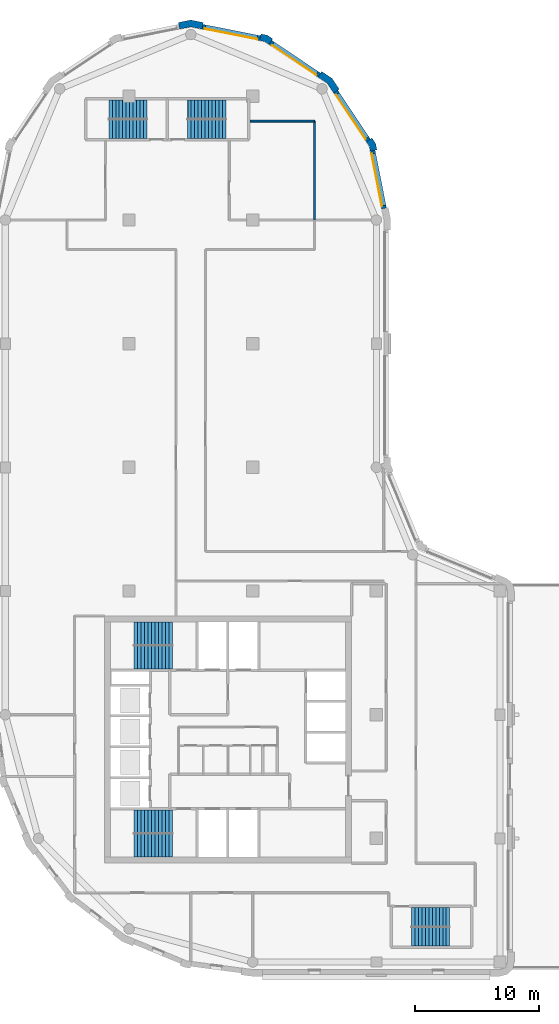
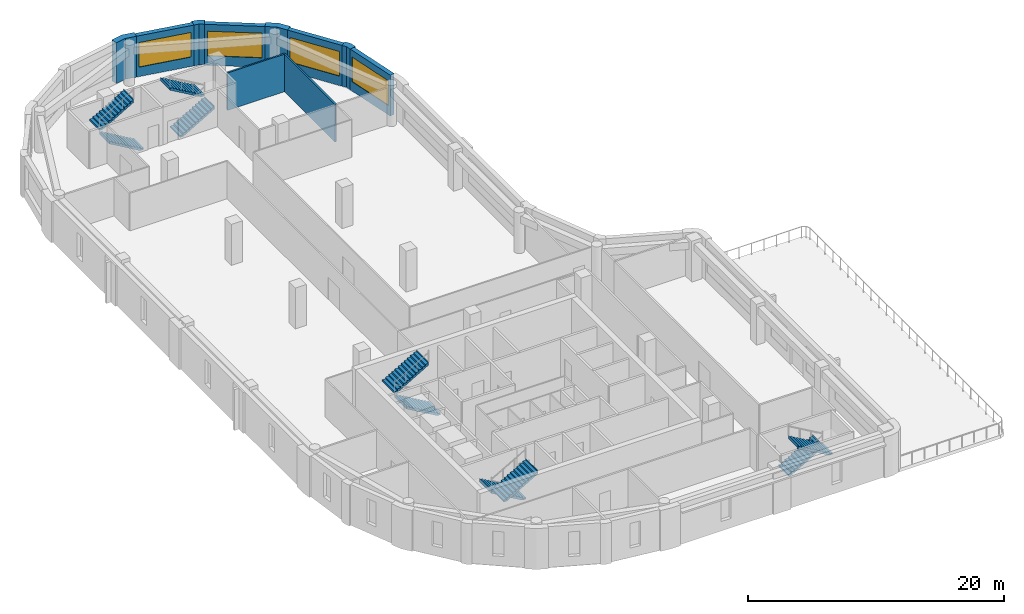
# One storey, part 6 of 8: 10 stair flights, 10 walls, 4 windows, 4 openings, 5 elements without a shape of their own.
"""IFC4 building model written with IfcOpenShell, lengths in metres."""

from ifc_helpers import new_model, si_unit, direction, frame, frame_2d, origin, place, context, subcontext, project, spatial, polyline, rectangle, outline, extrude, material, layer, layer_set, type_object, element, fill, aggregate, save


model = new_model("IFC4")

# Units and contexts
model_context = context("Model", 3, precision=1e-05, world=origin(), true_north=direction((0.0, 1.0)))
body_context = subcontext(model_context, "Body", "Model", "MODEL_VIEW")
ifc_project = project(units=[si_unit("LENGTHUNIT", "METRE"), si_unit("AREAUNIT", "SQUARE_METRE"), si_unit("VOLUMEUNIT", "CUBIC_METRE"), si_unit("PLANEANGLEUNIT", "RADIAN"), si_unit("MASSUNIT", "GRAM", prefix="KILO")], contexts=[model_context])

# Site, building, storey
site_placement = place(None, origin())
site = spatial("IfcSite", under=ifc_project, at=site_placement, CompositionType="ELEMENT")
building_placement = place(site_placement, origin())
building = spatial("IfcBuilding", under=site, at=building_placement, Name="Qaws Garden Tower", CompositionType="ELEMENT")
storey_placement = place(building_placement, frame((0.0, 0.0, 278.699951171875)))
storey = spatial("IfcBuildingStorey", under=building, at=storey_placement, Name="L67", CompositionType="ELEMENT", Elevation=278.699951171875)

# Wall, opening, window
ifc_material_1 = material(Name="Clay facing brick masonry", Category="masonry")
ifc_layer_1 = layer(ifc_material_1, 0.39990234375)
ifc_layer_set_1 = layer_set([ifc_layer_1], Name="Clay facing brick masonry")
wall_type_1 = type_object("IfcWallType", Name="Brick infill wall 400", PredefinedType="SOLIDWALL", material=ifc_layer_set_1)
wall_1_placement = place(storey_placement, frame((30.628662109375, 60.940673828125, 0.0), z_axis=(0.0, 0.0, 1.0), x_axis=(-0.195098533057, 0.98078364709, 0.0)))
wall_1 = element("IfcWall", 1, at=wall_1_placement, inside=storey, type_object=wall_type_1, Name="E-L67-infill-09", PredefinedType="SOLIDWALL", context=body_context, shape_type="SweptSolid", body=[
    extrude(rectangle(XDim=4.752685546875, YDim=0.39990234375, at=frame_2d((2.37646484375, 0.0))), origin(), (0.0, 0.0, 1.0), 3.900146484375),
])
opening_1_placement = place(wall_1_placement, frame((0.226318359375, 0.0, 0.89990234375)))
opening_1 = element("IfcOpeningElement", 2, at=opening_1_placement, cuts=wall_1, Name="Opening W06", PredefinedType="OPENING", context=body_context, shape_type="SweptSolid", body=[
    extrude(rectangle(XDim=4.300048828125, YDim=2.35009765625, at=frame_2d((2.14990234375, 1.175048828125))), frame((0.0, 0.2099609375, 0.0), z_axis=(0.0, -1.0, 0.0), x_axis=(1.0, 0.0, 0.0)), (0.0, 0.0, 1.0), 0.419921875),
])
ifc_material_2 = material(Name="Aluminium framed window, clear glazing", Category="aluminium")
window_type = type_object("IfcWindowType", Name="Ribbon window 4300 x 2350", PartitioningType="DOUBLE_PANEL_VERTICAL", PredefinedType="WINDOW", material=ifc_material_2)
window_1_placement = place(opening_1_placement, origin())
window_1 = element("IfcWindow", 3, at=window_1_placement, inside=storey, type_object=window_type, Name="E-L67-window-09-0", OverallHeight=2.35009765625, OverallWidth=4.300048828125, PartitioningType="SINGLE_PANEL", PredefinedType="WINDOW", context=body_context, shape_type="SweptSolid", body=[
    extrude(rectangle(XDim=4.300048828125, YDim=2.35009765625, at=frame_2d((2.14990234375, 1.175048828125))), frame((0.0, 0.159912109375, 0.0), z_axis=(0.0, -1.0, 0.0), x_axis=(1.0, 0.0, 0.0)), (0.0, 0.0, 1.0), 0.06005859375),
])
fill(opening_1, window_1)

wall_2_placement = place(storey_placement, frame((29.356689453125, 66.43408203125, 0.0), z_axis=(0.0, 0.0, 1.0), x_axis=(-0.555541552266, 0.831488775454, 0.0)))
wall_2 = element("IfcWall", 4, at=wall_2_placement, inside=storey, type_object=wall_type_1, Name="E-L67-infill-10", PredefinedType="SOLIDWALL", context=body_context, shape_type="SweptSolid", body=[
    extrude(rectangle(XDim=4.752685546875, YDim=0.39990234375, at=frame_2d((2.37646484375, 0.0))), origin(), (0.0, 0.0, 1.0), 3.900146484375),
])
opening_2_placement = place(wall_2_placement, frame((0.226318359375, 0.0, 0.89990234375)))
opening_2 = element("IfcOpeningElement", 5, at=opening_2_placement, cuts=wall_2, Name="Opening W06", PredefinedType="OPENING", context=body_context, shape_type="SweptSolid", body=[
    extrude(rectangle(XDim=4.300048828125, YDim=2.35009765625, at=frame_2d((2.14990234375, 1.175048828125))), frame((0.0, 0.2099609375, 0.0), z_axis=(0.0, -1.0, 0.0), x_axis=(1.0, 0.0, 0.0)), (0.0, 0.0, 1.0), 0.419921875),
])
window_2_placement = place(opening_2_placement, origin())
window_2 = element("IfcWindow", 6, at=window_2_placement, inside=storey, type_object=window_type, Name="E-L67-window-10-0", OverallHeight=2.35009765625, OverallWidth=4.300048828125, PartitioningType="SINGLE_PANEL", PredefinedType="WINDOW", context=body_context, shape_type="SweptSolid", body=[
    extrude(rectangle(XDim=4.300048828125, YDim=2.35009765625, at=frame_2d((2.14990234375, 1.175048828125))), frame((0.0, 0.159912109375, 0.0), z_axis=(0.0, -1.0, 0.0), x_axis=(1.0, 0.0, 0.0)), (0.0, 0.0, 1.0), 0.06005859375),
])
fill(opening_2, window_2)

wall_3_placement = place(storey_placement, frame((25.385986328125, 71.71630859375, 0.0), z_axis=(0.0, 0.0, 1.0), x_axis=(-0.831488775454, 0.555541552266, 0.0)))
wall_3 = element("IfcWall", 7, at=wall_3_placement, inside=storey, type_object=wall_type_1, Name="E-L67-infill-11", PredefinedType="SOLIDWALL", context=body_context, shape_type="SweptSolid", body=[
    extrude(rectangle(XDim=4.752685546875, YDim=0.39990234375, at=frame_2d((2.37646484375, 0.0))), origin(), (0.0, 0.0, 1.0), 3.900146484375),
])
opening_3_placement = place(wall_3_placement, frame((0.226318359375, 0.0, 0.89990234375)))
opening_3 = element("IfcOpeningElement", 8, at=opening_3_placement, cuts=wall_3, Name="Opening W06", PredefinedType="OPENING", context=body_context, shape_type="SweptSolid", body=[
    extrude(rectangle(XDim=4.300048828125, YDim=2.35009765625, at=frame_2d((2.14990234375, 1.175048828125))), frame((0.0, 0.2099609375, 0.0), z_axis=(0.0, -1.0, 0.0), x_axis=(1.0, 0.0, 0.0)), (0.0, 0.0, 1.0), 0.419921875),
])
window_3_placement = place(opening_3_placement, origin())
window_3 = element("IfcWindow", 9, at=window_3_placement, inside=storey, type_object=window_type, Name="E-L67-window-11-0", OverallHeight=2.35009765625, OverallWidth=4.300048828125, PartitioningType="SINGLE_PANEL", PredefinedType="WINDOW", context=body_context, shape_type="SweptSolid", body=[
    extrude(rectangle(XDim=4.300048828125, YDim=2.35009765625, at=frame_2d((2.14990234375, 1.175048828125))), frame((0.0, 0.159912109375, 0.0), z_axis=(0.0, -1.0, 0.0), x_axis=(1.0, 0.0, 0.0)), (0.0, 0.0, 1.0), 0.06005859375),
])
fill(opening_3, window_3)

wall_4_placement = place(storey_placement, frame((20.60205078125, 74.701416015625, 0.0), z_axis=(0.0, 0.0, 1.0), x_axis=(-0.98078364709, 0.195098533057, 0.0)))
wall_4 = element("IfcWall", 10, at=wall_4_placement, inside=storey, type_object=wall_type_1, Name="E-L67-infill-12", PredefinedType="SOLIDWALL", context=body_context, shape_type="SweptSolid", body=[
    extrude(rectangle(XDim=4.752685546875, YDim=0.39990234375, at=frame_2d((2.37646484375, 0.0))), origin(), (0.0, 0.0, 1.0), 3.900146484375),
])
opening_4_placement = place(wall_4_placement, frame((0.226318359375, 0.0, 0.89990234375)))
opening_4 = element("IfcOpeningElement", 11, at=opening_4_placement, cuts=wall_4, Name="Opening W06", PredefinedType="OPENING", context=body_context, shape_type="SweptSolid", body=[
    extrude(rectangle(XDim=4.300048828125, YDim=2.35009765625, at=frame_2d((2.14990234375, 1.175048828125))), frame((0.0, 0.2099609375, 0.0), z_axis=(0.0, -1.0, 0.0), x_axis=(1.0, 0.0, 0.0)), (0.0, 0.0, 1.0), 0.419921875),
])
window_4_placement = place(opening_4_placement, origin())
window_4 = element("IfcWindow", 12, at=window_4_placement, inside=storey, type_object=window_type, Name="E-L67-window-12-0", OverallHeight=2.35009765625, OverallWidth=4.300048828125, PartitioningType="SINGLE_PANEL", PredefinedType="WINDOW", context=body_context, shape_type="SweptSolid", body=[
    extrude(rectangle(XDim=4.300048828125, YDim=2.35009765625, at=frame_2d((2.14990234375, 1.175048828125))), frame((0.0, 0.159912109375, 0.0), z_axis=(0.0, -1.0, 0.0), x_axis=(1.0, 0.0, 0.0)), (0.0, 0.0, 1.0), 0.06005859375),
])
fill(opening_4, window_4)

# Walls
ifc_material_3 = material(Name="Clay facing brick masonry", Category="masonry")
ifc_layer_2 = layer(ifc_material_3, 0.550048828125)
ifc_layer_set_2 = layer_set([ifc_layer_2], Name="Clay facing brick masonry")
wall_type_2 = type_object("IfcWallType", Name="Brick kink pier 550 x 600", PredefinedType="SOLIDWALL", material=ifc_layer_set_2)
placement = place(storey_placement, origin())
element("IfcWall", 13, at=placement, inside=storey, type_object=wall_type_2, Name="E-L67-pier-10", PredefinedType="SOLIDWALL", context=body_context, shape_type="SweptSolid", body=[
    extrude(outline(polyline([(29.8974609375, 65.64111328125), (30.044677734375, 65.67041015625), (29.94140625, 66.18896484375), (29.647705078125, 66.628662109375), (29.52294921875, 66.545166015625), (29.1904296875, 66.322998046875), (29.42333984375, 65.974365234375), (29.505126953125, 65.56298828125), (29.8974609375, 65.64111328125)])), origin(), (0.0, 0.0, 1.0), 3.900146484375),
])
element("IfcWall", 14, at=placement, inside=storey, type_object=wall_type_2, Name="E-L67-pier-12", PredefinedType="SOLIDWALL", context=body_context, shape_type="SweptSolid", body=[
    extrude(outline(polyline([(21.545166015625, 74.52294921875), (21.628662109375, 74.647705078125), (21.18896484375, 74.94140625), (20.67041015625, 75.044677734375), (20.64111328125, 74.8974609375), (20.56298828125, 74.505126953125), (20.974365234375, 74.42333984375), (21.322998046875, 74.1904296875), (21.545166015625, 74.52294921875)])), origin(), (0.0, 0.0, 1.0), 3.900146484375),
])
ifc_material_4 = material(Name="Clay facing brick masonry", Category="masonry")
ifc_layer_3 = layer(ifc_material_4, 0.550048828125)
ifc_layer_set_3 = layer_set([ifc_layer_3], Name="Clay facing brick masonry")
wall_type_3 = type_object("IfcWallType", Name="Brick pier 550 x 1600", PredefinedType="SOLIDWALL", material=ifc_layer_set_3)
element("IfcWall", 15, at=placement, inside=storey, type_object=wall_type_3, Name="E-L67-pier-11", PredefinedType="SOLIDWALL", context=body_context, shape_type="SweptSolid", body=[
    extrude(outline(polyline([(26.882568359375, 70.4970703125), (27.00732421875, 70.580322265625), (26.435791015625, 71.435791015625), (25.580322265625, 72.00732421875), (25.4970703125, 71.882568359375), (25.274658203125, 71.550048828125), (26.0390625, 71.0390625), (26.550048828125, 70.274658203125), (26.882568359375, 70.4970703125)])), origin(), (0.0, 0.0, 1.0), 3.900146484375),
])
element("IfcWall", 16, at=placement, inside=storey, type_object=wall_type_3, Name="E-L67-pier-13", PredefinedType="SOLIDWALL", context=body_context, shape_type="SweptSolid", body=[
    extrude(outline(polyline([(15.979736328125, 75.82470703125), (16.009033203125, 75.971923828125), (15.0, 76.172607421875), (13.990966796875, 75.971923828125), (14.020263671875, 75.82470703125), (14.098388671875, 75.432373046875), (15.0, 75.61181640625), (15.901611328125, 75.432373046875), (15.979736328125, 75.82470703125)])), origin(), (0.0, 0.0, 1.0), 3.900146484375),
])
ifc_material_5 = material(Name="Gypsum board partition")
ifc_layer_4 = layer(ifc_material_5, 0.14990234375)
ifc_layer_set_4 = layer_set([ifc_layer_4], Name="Gypsum board partition")
wall_type_4 = type_object("IfcWallType", Name="PARTITION 150 EI 60", PredefinedType="PARTITIONING", material=ifc_layer_set_4)
wall_9_placement = place(storey_placement, frame((25.0, 60.0, 0.0), z_axis=(0.0, 0.0, 1.0), x_axis=(0.0, 1.0, 0.0)))
element("IfcWall", 17, at=wall_9_placement, inside=storey, type_object=wall_type_4, Name="O-L67-wall-006", PredefinedType="PARTITIONING", context=body_context, shape_type="SweptSolid", body=[
    extrude(rectangle(XDim=8.0, YDim=0.14990234375, at=frame_2d((4.0, 0.0))), origin(), (0.0, 0.0, 1.0), 3.580078125),
])
wall_10_placement = place(storey_placement, frame((19.800048828125, 68.0, 0.0), z_axis=(0.0, 0.0, 1.0), x_axis=(1.0, 0.0, 0.0)))
element("IfcWall", 18, at=wall_10_placement, inside=storey, type_object=wall_type_4, Name="O-L67-wall-026", PredefinedType="PARTITIONING", context=body_context, shape_type="SweptSolid", body=[
    extrude(rectangle(XDim=5.199951171875, YDim=0.14990234375, at=frame_2d((2.60009765625, 0.0))), origin(), (0.0, 0.0, 1.0), 3.580078125),
])

# Stair, stair flights
ifc_material_6 = material(Name="Concrete C40", Category="concrete")
stair_type_1 = type_object("IfcStairType", Name="Exit stair 1350", PredefinedType="HALF_TURN_STAIR", material=ifc_material_6)
stair_1 = element("IfcStair", 19, at=placement, inside=storey, type_object=stair_type_1, Name="Stair 5", PredefinedType="HALF_TURN_STAIR")
ifc_material_7 = material(Name="Concrete C40", Category="concrete")
stair_flight_type_1 = type_object("IfcStairFlightType", Name="Stair flight 1350", PredefinedType="STRAIGHT", material=ifc_material_7)
stair_flight_1_placement = place(storey_placement, frame((32.85009765625, 3.625, 0.0), z_axis=(0.0, 0.0, 1.0), x_axis=(1.0, 0.0, 0.0)))
stair_flight_1 = element("IfcStairFlight", 20, at=stair_flight_1_placement, type_object=stair_flight_type_1, Name="ST5 flight 1", NumberOfRisers=12, NumberOfTreads=11, PredefinedType="STRAIGHT", RiserHeight=0.1625, TreadLength=0.28, context=body_context, shape_type="SweptSolid", body=[
    extrude(outline(polyline([(-0.0029296875, 0.0), (-0.0029296875, 0.16259765625), (0.0, 0.16259765625), (0.280029296875, 0.16259765625), (0.280029296875, 0.324951171875), (0.56005859375, 0.324951171875), (0.56005859375, 0.487548828125), (0.840087890625, 0.487548828125), (0.840087890625, 0.64990234375), (1.1201171875, 0.64990234375), (1.1201171875, 0.8125), (1.39990234375, 0.8125), (1.39990234375, 0.97509765625), (1.679931640625, 0.97509765625), (1.679931640625, 1.137451171875), (1.9599609375, 1.137451171875), (1.9599609375, 1.300048828125), (2.239990234375, 1.300048828125), (2.239990234375, 1.46240234375), (2.52001953125, 1.46240234375), (2.52001953125, 1.625), (2.800048828125, 1.625), (2.800048828125, 1.78759765625), (3.080078125, 1.78759765625), (3.080078125, 1.949951171875), (3.0830078125, 1.949951171875), (3.0830078125, 1.6142578125), (3.080078125, 1.6142578125), (0.298583984375, 0.0), (-0.0029296875, 0.0)])), frame((0.0, 0.77490234375, 0.0), z_axis=(0.0, -1.0, 0.0), x_axis=(1.0, 0.0, 0.0)), (0.0, 0.0, 1.0), 1.550048828125),
])
stair_flight_2_placement = place(storey_placement, frame((35.929931640625, 2.074951171875, 1.949951171875), z_axis=(0.0, 0.0, 1.0), x_axis=(-1.0, 0.0, 0.0)))
stair_flight_2 = element("IfcStairFlight", 21, at=stair_flight_2_placement, type_object=stair_flight_type_1, Name="ST5 flight 2", NumberOfRisers=12, NumberOfTreads=11, PredefinedType="STRAIGHT", RiserHeight=0.1625, TreadLength=0.28, context=body_context, shape_type="SweptSolid", body=[
    extrude(outline(polyline([(-0.0029296875, 0.0), (-0.0029296875, 0.16259765625), (0.0, 0.16259765625), (0.280029296875, 0.16259765625), (0.280029296875, 0.324951171875), (0.56005859375, 0.324951171875), (0.56005859375, 0.487548828125), (0.840087890625, 0.487548828125), (0.840087890625, 0.64990234375), (1.1201171875, 0.64990234375), (1.1201171875, 0.8125), (1.39990234375, 0.8125), (1.39990234375, 0.97509765625), (1.679931640625, 0.97509765625), (1.679931640625, 1.137451171875), (1.9599609375, 1.137451171875), (1.9599609375, 1.300048828125), (2.239990234375, 1.300048828125), (2.239990234375, 1.46240234375), (2.52001953125, 1.46240234375), (2.52001953125, 1.625), (2.800048828125, 1.625), (2.800048828125, 1.78759765625), (3.080078125, 1.78759765625), (3.080078125, 1.949951171875), (3.0830078125, 1.949951171875), (3.0830078125, 1.6142578125), (3.080078125, 1.6142578125), (0.298583984375, 0.0), (-0.0029296875, 0.0)])), frame((0.0, 0.77490234375, 0.0), z_axis=(0.0, -1.0, 0.0), x_axis=(1.0, 0.0, 0.0)), (0.0, 0.0, 1.0), 1.550048828125),
])
aggregate(stair_1, [stair_flight_1, stair_flight_2])

stair_2 = element("IfcStair", 22, at=placement, inside=storey, type_object=stair_type_1, Name="Stair 6", PredefinedType="HALF_TURN_STAIR")
stair_flight_3_placement = place(storey_placement, frame((11.449951171875, 67.375, 0.0), z_axis=(0.0, 0.0, 1.0), x_axis=(-1.0, 0.0, 0.0)))
stair_flight_3 = element("IfcStairFlight", 23, at=stair_flight_3_placement, type_object=stair_flight_type_1, Name="ST6 flight 1", NumberOfRisers=12, NumberOfTreads=11, PredefinedType="STRAIGHT", RiserHeight=0.1625, TreadLength=0.28, context=body_context, shape_type="SweptSolid", body=[
    extrude(outline(polyline([(-0.0029296875, 0.0), (-0.0029296875, 0.16259765625), (0.0, 0.16259765625), (0.280029296875, 0.16259765625), (0.280029296875, 0.324951171875), (0.56005859375, 0.324951171875), (0.56005859375, 0.487548828125), (0.840087890625, 0.487548828125), (0.840087890625, 0.64990234375), (1.1201171875, 0.64990234375), (1.1201171875, 0.8125), (1.39990234375, 0.8125), (1.39990234375, 0.97509765625), (1.679931640625, 0.97509765625), (1.679931640625, 1.137451171875), (1.9599609375, 1.137451171875), (1.9599609375, 1.300048828125), (2.239990234375, 1.300048828125), (2.239990234375, 1.46240234375), (2.52001953125, 1.46240234375), (2.52001953125, 1.625), (2.800048828125, 1.625), (2.800048828125, 1.78759765625), (3.080078125, 1.78759765625), (3.080078125, 1.949951171875), (3.0830078125, 1.949951171875), (3.0830078125, 1.6142578125), (3.080078125, 1.6142578125), (0.298583984375, 0.0), (-0.0029296875, 0.0)])), frame((0.0, 0.77490234375, 0.0), z_axis=(0.0, -1.0, 0.0), x_axis=(1.0, 0.0, 0.0)), (0.0, 0.0, 1.0), 1.550048828125),
])
stair_flight_4_placement = place(storey_placement, frame((8.3701171875, 68.925048828125, 1.949951171875), z_axis=(0.0, 0.0, 1.0), x_axis=(1.0, 0.0, 0.0)))
stair_flight_4 = element("IfcStairFlight", 24, at=stair_flight_4_placement, type_object=stair_flight_type_1, Name="ST6 flight 2", NumberOfRisers=12, NumberOfTreads=11, PredefinedType="STRAIGHT", RiserHeight=0.1625, TreadLength=0.28, context=body_context, shape_type="SweptSolid", body=[
    extrude(outline(polyline([(-0.0029296875, 0.0), (-0.0029296875, 0.16259765625), (0.0, 0.16259765625), (0.280029296875, 0.16259765625), (0.280029296875, 0.324951171875), (0.56005859375, 0.324951171875), (0.56005859375, 0.487548828125), (0.840087890625, 0.487548828125), (0.840087890625, 0.64990234375), (1.1201171875, 0.64990234375), (1.1201171875, 0.8125), (1.39990234375, 0.8125), (1.39990234375, 0.97509765625), (1.679931640625, 0.97509765625), (1.679931640625, 1.137451171875), (1.9599609375, 1.137451171875), (1.9599609375, 1.300048828125), (2.239990234375, 1.300048828125), (2.239990234375, 1.46240234375), (2.52001953125, 1.46240234375), (2.52001953125, 1.625), (2.800048828125, 1.625), (2.800048828125, 1.78759765625), (3.080078125, 1.78759765625), (3.080078125, 1.949951171875), (3.0830078125, 1.949951171875), (3.0830078125, 1.6142578125), (3.080078125, 1.6142578125), (0.298583984375, 0.0), (-0.0029296875, 0.0)])), frame((0.0, 0.77490234375, 0.0), z_axis=(0.0, -1.0, 0.0), x_axis=(1.0, 0.0, 0.0)), (0.0, 0.0, 1.0), 1.550048828125),
])
aggregate(stair_2, [stair_flight_3, stair_flight_4])

stair_3 = element("IfcStair", 25, at=placement, inside=storey, type_object=stair_type_1, Name="Stair 7", PredefinedType="HALF_TURN_STAIR")
stair_flight_5_placement = place(storey_placement, frame((14.75, 67.375, 0.0), z_axis=(0.0, 0.0, 1.0), x_axis=(1.0, 0.0, 0.0)))
stair_flight_5 = element("IfcStairFlight", 26, at=stair_flight_5_placement, type_object=stair_flight_type_1, Name="ST7 flight 1", NumberOfRisers=12, NumberOfTreads=11, PredefinedType="STRAIGHT", RiserHeight=0.1625, TreadLength=0.28, context=body_context, shape_type="SweptSolid", body=[
    extrude(outline(polyline([(-0.0029296875, 0.0), (-0.0029296875, 0.16259765625), (0.0, 0.16259765625), (0.280029296875, 0.16259765625), (0.280029296875, 0.324951171875), (0.56005859375, 0.324951171875), (0.56005859375, 0.487548828125), (0.840087890625, 0.487548828125), (0.840087890625, 0.64990234375), (1.1201171875, 0.64990234375), (1.1201171875, 0.8125), (1.39990234375, 0.8125), (1.39990234375, 0.97509765625), (1.679931640625, 0.97509765625), (1.679931640625, 1.137451171875), (1.9599609375, 1.137451171875), (1.9599609375, 1.300048828125), (2.239990234375, 1.300048828125), (2.239990234375, 1.46240234375), (2.52001953125, 1.46240234375), (2.52001953125, 1.625), (2.800048828125, 1.625), (2.800048828125, 1.78759765625), (3.080078125, 1.78759765625), (3.080078125, 1.949951171875), (3.0830078125, 1.949951171875), (3.0830078125, 1.6142578125), (3.080078125, 1.6142578125), (0.298583984375, 0.0), (-0.0029296875, 0.0)])), frame((0.0, 0.77490234375, 0.0), z_axis=(0.0, -1.0, 0.0), x_axis=(1.0, 0.0, 0.0)), (0.0, 0.0, 1.0), 1.550048828125),
])
stair_flight_6_placement = place(storey_placement, frame((17.830078125, 68.925048828125, 1.949951171875), z_axis=(0.0, 0.0, 1.0), x_axis=(-1.0, 0.0, 0.0)))
stair_flight_6 = element("IfcStairFlight", 27, at=stair_flight_6_placement, type_object=stair_flight_type_1, Name="ST7 flight 2", NumberOfRisers=12, NumberOfTreads=11, PredefinedType="STRAIGHT", RiserHeight=0.1625, TreadLength=0.28, context=body_context, shape_type="SweptSolid", body=[
    extrude(outline(polyline([(-0.0029296875, 0.0), (-0.0029296875, 0.16259765625), (0.0, 0.16259765625), (0.280029296875, 0.16259765625), (0.280029296875, 0.324951171875), (0.56005859375, 0.324951171875), (0.56005859375, 0.487548828125), (0.840087890625, 0.487548828125), (0.840087890625, 0.64990234375), (1.1201171875, 0.64990234375), (1.1201171875, 0.8125), (1.39990234375, 0.8125), (1.39990234375, 0.97509765625), (1.679931640625, 0.97509765625), (1.679931640625, 1.137451171875), (1.9599609375, 1.137451171875), (1.9599609375, 1.300048828125), (2.239990234375, 1.300048828125), (2.239990234375, 1.46240234375), (2.52001953125, 1.46240234375), (2.52001953125, 1.625), (2.800048828125, 1.625), (2.800048828125, 1.78759765625), (3.080078125, 1.78759765625), (3.080078125, 1.949951171875), (3.0830078125, 1.949951171875), (3.0830078125, 1.6142578125), (3.080078125, 1.6142578125), (0.298583984375, 0.0), (-0.0029296875, 0.0)])), frame((0.0, 0.77490234375, 0.0), z_axis=(0.0, -1.0, 0.0), x_axis=(1.0, 0.0, 0.0)), (0.0, 0.0, 1.0), 1.550048828125),
])
aggregate(stair_3, [stair_flight_5, stair_flight_6])

ifc_material_8 = material(Name="Concrete C40", Category="concrete")
stair_type_2 = type_object("IfcStairType", Name="Exit stair 1500", PredefinedType="HALF_TURN_STAIR", material=ifc_material_8)
stair_4 = element("IfcStair", 28, at=placement, inside=storey, type_object=stair_type_2, Name="Stair 1", PredefinedType="HALF_TURN_STAIR")
ifc_material_9 = material(Name="Concrete C40", Category="concrete")
stair_flight_type_2 = type_object("IfcStairFlightType", Name="Stair flight 1500", PredefinedType="STRAIGHT", material=ifc_material_9)
stair_flight_7_placement = place(storey_placement, frame((13.5, 11.35009765625, 0.0), z_axis=(0.0, 0.0, 1.0), x_axis=(-1.0, 0.0, 0.0)))
stair_flight_7 = element("IfcStairFlight", 29, at=stair_flight_7_placement, type_object=stair_flight_type_2, Name="ST1 flight 1", NumberOfRisers=12, NumberOfTreads=11, PredefinedType="STRAIGHT", RiserHeight=0.1625, TreadLength=0.28, context=body_context, shape_type="SweptSolid", body=[
    extrude(outline(polyline([(-0.0029296875, 0.0), (-0.0029296875, 0.16259765625), (0.0, 0.16259765625), (0.280029296875, 0.16259765625), (0.280029296875, 0.324951171875), (0.56005859375, 0.324951171875), (0.56005859375, 0.487548828125), (0.840087890625, 0.487548828125), (0.840087890625, 0.64990234375), (1.1201171875, 0.64990234375), (1.1201171875, 0.8125), (1.39990234375, 0.8125), (1.39990234375, 0.97509765625), (1.679931640625, 0.97509765625), (1.679931640625, 1.137451171875), (1.9599609375, 1.137451171875), (1.9599609375, 1.300048828125), (2.239990234375, 1.300048828125), (2.239990234375, 1.46240234375), (2.52001953125, 1.46240234375), (2.52001953125, 1.625), (2.800048828125, 1.625), (2.800048828125, 1.78759765625), (3.080078125, 1.78759765625), (3.080078125, 1.949951171875), (3.0830078125, 1.949951171875), (3.0830078125, 1.6142578125), (3.080078125, 1.6142578125), (0.298583984375, 0.0), (-0.0029296875, 0.0)])), frame((0.0, 0.949951171875, 0.0), z_axis=(0.0, -1.0, 0.0), x_axis=(1.0, 0.0, 0.0)), (0.0, 0.0, 1.0), 1.89990234375),
])
stair_flight_8_placement = place(storey_placement, frame((10.419921875, 9.449951171875, 1.949951171875), z_axis=(0.0, 0.0, 1.0), x_axis=(1.0, 0.0, 0.0)))
stair_flight_8 = element("IfcStairFlight", 30, at=stair_flight_8_placement, type_object=stair_flight_type_2, Name="ST1 flight 2", NumberOfRisers=12, NumberOfTreads=11, PredefinedType="STRAIGHT", RiserHeight=0.1625, TreadLength=0.28, context=body_context, shape_type="SweptSolid", body=[
    extrude(outline(polyline([(-0.0029296875, 0.0), (-0.0029296875, 0.16259765625), (0.0, 0.16259765625), (0.280029296875, 0.16259765625), (0.280029296875, 0.324951171875), (0.56005859375, 0.324951171875), (0.56005859375, 0.487548828125), (0.840087890625, 0.487548828125), (0.840087890625, 0.64990234375), (1.1201171875, 0.64990234375), (1.1201171875, 0.8125), (1.39990234375, 0.8125), (1.39990234375, 0.97509765625), (1.679931640625, 0.97509765625), (1.679931640625, 1.137451171875), (1.9599609375, 1.137451171875), (1.9599609375, 1.300048828125), (2.239990234375, 1.300048828125), (2.239990234375, 1.46240234375), (2.52001953125, 1.46240234375), (2.52001953125, 1.625), (2.800048828125, 1.625), (2.800048828125, 1.78759765625), (3.080078125, 1.78759765625), (3.080078125, 1.949951171875), (3.0830078125, 1.949951171875), (3.0830078125, 1.6142578125), (3.080078125, 1.6142578125), (0.298583984375, 0.0), (-0.0029296875, 0.0)])), frame((0.0, 0.949951171875, 0.0), z_axis=(0.0, -1.0, 0.0), x_axis=(1.0, 0.0, 0.0)), (0.0, 0.0, 1.0), 1.89990234375),
])
aggregate(stair_4, [stair_flight_7, stair_flight_8])

stair_5 = element("IfcStair", 31, at=placement, inside=storey, type_object=stair_type_2, Name="Stair 4", PredefinedType="HALF_TURN_STAIR")
stair_flight_9_placement = place(storey_placement, frame((13.5, 24.64990234375, 0.0), z_axis=(0.0, 0.0, 1.0), x_axis=(-1.0, 0.0, 0.0)))
stair_flight_9 = element("IfcStairFlight", 32, at=stair_flight_9_placement, type_object=stair_flight_type_2, Name="ST4 flight 1", NumberOfRisers=12, NumberOfTreads=11, PredefinedType="STRAIGHT", RiserHeight=0.1625, TreadLength=0.28, context=body_context, shape_type="SweptSolid", body=[
    extrude(outline(polyline([(-0.0029296875, 0.0), (-0.0029296875, 0.16259765625), (0.0, 0.16259765625), (0.280029296875, 0.16259765625), (0.280029296875, 0.324951171875), (0.56005859375, 0.324951171875), (0.56005859375, 0.487548828125), (0.840087890625, 0.487548828125), (0.840087890625, 0.64990234375), (1.1201171875, 0.64990234375), (1.1201171875, 0.8125), (1.39990234375, 0.8125), (1.39990234375, 0.97509765625), (1.679931640625, 0.97509765625), (1.679931640625, 1.137451171875), (1.9599609375, 1.137451171875), (1.9599609375, 1.300048828125), (2.239990234375, 1.300048828125), (2.239990234375, 1.46240234375), (2.52001953125, 1.46240234375), (2.52001953125, 1.625), (2.800048828125, 1.625), (2.800048828125, 1.78759765625), (3.080078125, 1.78759765625), (3.080078125, 1.949951171875), (3.0830078125, 1.949951171875), (3.0830078125, 1.6142578125), (3.080078125, 1.6142578125), (0.298583984375, 0.0), (-0.0029296875, 0.0)])), frame((0.0, 0.94482421875, 0.0), z_axis=(0.0, -1.0, 0.0), x_axis=(1.0, 0.0, 0.0)), (0.0, 0.0, 1.0), 1.889892578125),
])
stair_flight_10_placement = place(storey_placement, frame((10.419921875, 26.550048828125, 1.949951171875), z_axis=(0.0, 0.0, 1.0), x_axis=(1.0, 0.0, 0.0)))
stair_flight_10 = element("IfcStairFlight", 33, at=stair_flight_10_placement, type_object=stair_flight_type_2, Name="ST4 flight 2", NumberOfRisers=12, NumberOfTreads=11, PredefinedType="STRAIGHT", RiserHeight=0.1625, TreadLength=0.28, context=body_context, shape_type="SweptSolid", body=[
    extrude(outline(polyline([(-0.0029296875, 0.0), (-0.0029296875, 0.16259765625), (0.0, 0.16259765625), (0.280029296875, 0.16259765625), (0.280029296875, 0.324951171875), (0.56005859375, 0.324951171875), (0.56005859375, 0.487548828125), (0.840087890625, 0.487548828125), (0.840087890625, 0.64990234375), (1.1201171875, 0.64990234375), (1.1201171875, 0.8125), (1.39990234375, 0.8125), (1.39990234375, 0.97509765625), (1.679931640625, 0.97509765625), (1.679931640625, 1.137451171875), (1.9599609375, 1.137451171875), (1.9599609375, 1.300048828125), (2.239990234375, 1.300048828125), (2.239990234375, 1.46240234375), (2.52001953125, 1.46240234375), (2.52001953125, 1.625), (2.800048828125, 1.625), (2.800048828125, 1.78759765625), (3.080078125, 1.78759765625), (3.080078125, 1.949951171875), (3.0830078125, 1.949951171875), (3.0830078125, 1.6142578125), (3.080078125, 1.6142578125), (0.298583984375, 0.0), (-0.0029296875, 0.0)])), frame((0.0, 0.94482421875, 0.0), z_axis=(0.0, -1.0, 0.0), x_axis=(1.0, 0.0, 0.0)), (0.0, 0.0, 1.0), 1.889892578125),
])
aggregate(stair_5, [stair_flight_9, stair_flight_10])

save(model, "model.ifc")
